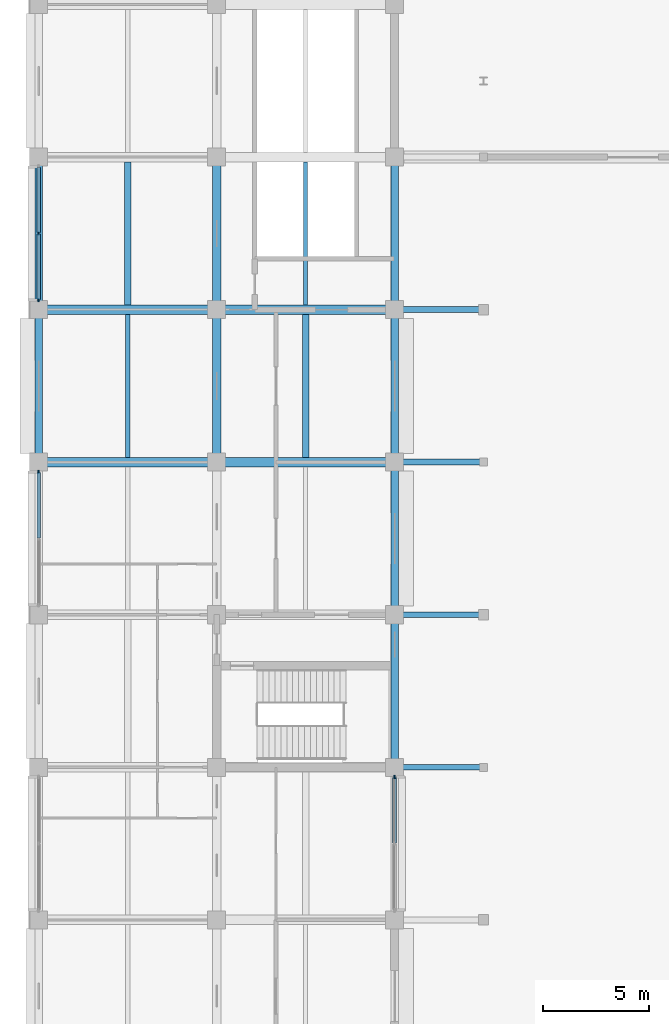
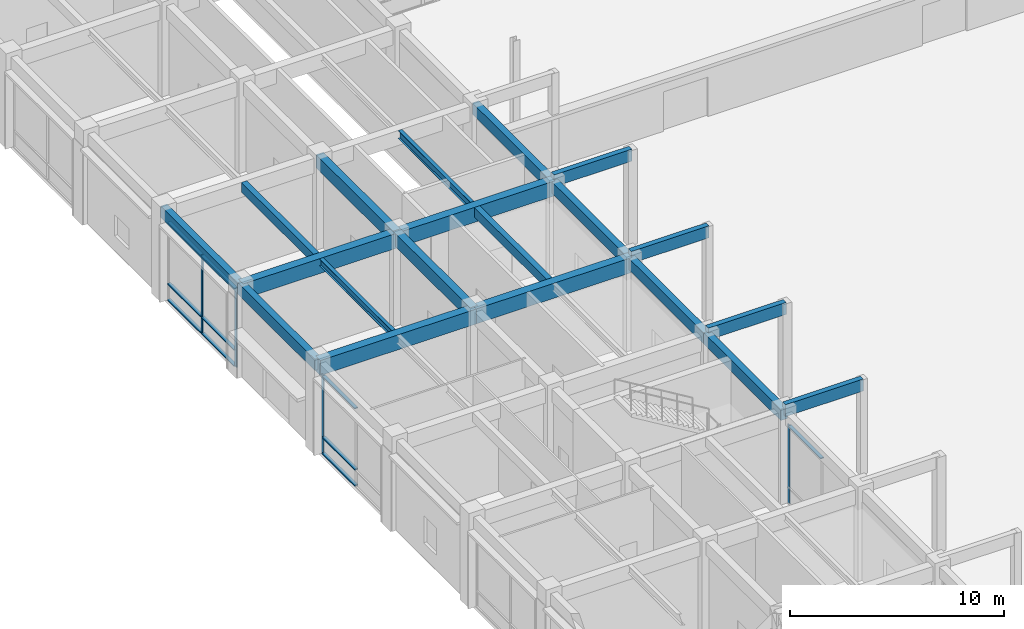
# One storey, part 10 of 73: 20 beams, 14 members, 3 elements without a shape of their own.
"""IFC4 building model written with IfcOpenShell, lengths in metres."""

from ifc_helpers import new_model, si_unit, direction, frame, origin, origin_2d, place, context, subcontext, project, spatial, rectangle, i_section, extrude, material, layer, layer_set, material_profile, profile_set, type_object, element, aggregate, save


model = new_model("IFC4")

# Units and contexts
model_context = context("Model", 3, precision=1e-05, world=origin(), true_north=direction((0.0, 1.0)))
body_context = subcontext(model_context, "Body", "Model", "MODEL_VIEW")
ifc_project = project(units=[si_unit("LENGTHUNIT", "METRE"), si_unit("AREAUNIT", "SQUARE_METRE"), si_unit("VOLUMEUNIT", "CUBIC_METRE"), si_unit("PLANEANGLEUNIT", "RADIAN"), si_unit("MASSUNIT", "GRAM", prefix="KILO")], contexts=[model_context])

# Site, building, storey
site_placement = place(None, origin())
site = spatial("IfcSite", under=ifc_project, at=site_placement, CompositionType="ELEMENT")
building_placement = place(site_placement, origin())
building = spatial("IfcBuilding", under=site, at=building_placement, Name="Chengyuan Square Courthouse", CompositionType="ELEMENT")
storey_placement = place(building_placement, origin())
storey = spatial("IfcBuildingStorey", under=building, at=storey_placement, Name="L01", CompositionType="ELEMENT", Elevation=0.0)

# Beams
ifc_material_1 = material(Name="Concrete C40", Category="concrete")
ifc_material_profile_1 = material_profile(ifc_material_1, rectangle(XDim=0.449951171875, YDim=0.85009765625, at=origin_2d()), Name="RC-BM-450x850")
ifc_profile_set_1 = profile_set([ifc_material_profile_1], Name="Concrete C40")
beam_type_1 = type_object("IfcBeamType", Name="BM-01", PredefinedType="USERDEFINED", material=ifc_profile_set_1)
beam_1_placement = place(storey_placement, frame((0.0, 50.39990234375, 4.695068359375), z_axis=(1.0, 0.0, 0.0), x_axis=(0.0, 1.0, 0.0)))
element("IfcBeam", 1, at=beam_1_placement, inside=storey, type_object=beam_type_1, Name="Girder BM-L01-1669", ObjectType="GIRDER", PredefinedType="USERDEFINED", context=body_context, shape_type="SweptSolid", body=[
    extrude(rectangle(XDim=0.449951171875, YDim=0.85009765625, at=origin_2d()), origin(), (0.0, 0.0, 1.0), 8.39990234375),
])
beam_2_placement = place(storey_placement, frame((8.39990234375, 50.39990234375, 4.695068359375), z_axis=(1.0, 0.0, 0.0), x_axis=(0.0, 1.0, 0.0)))
element("IfcBeam", 2, at=beam_2_placement, inside=storey, type_object=beam_type_1, Name="Girder BM-L01-1670", ObjectType="GIRDER", PredefinedType="USERDEFINED", context=body_context, shape_type="SweptSolid", body=[
    extrude(rectangle(XDim=0.449951171875, YDim=0.85009765625, at=origin_2d()), origin(), (0.0, 0.0, 1.0), 8.400146484375),
])
beam_3_placement = place(storey_placement, frame((0.0, 57.60009765625, 4.695068359375), z_axis=(1.0, 0.0, 0.0), x_axis=(0.0, 1.0, 0.0)))
element("IfcBeam", 3, at=beam_3_placement, inside=storey, type_object=beam_type_1, Name="Girder BM-L01-1673", ObjectType="GIRDER", PredefinedType="USERDEFINED", context=body_context, shape_type="SweptSolid", body=[
    extrude(rectangle(XDim=0.449951171875, YDim=0.85009765625, at=origin_2d()), origin(), (0.0, 0.0, 1.0), 8.39990234375),
])
beam_4_placement = place(storey_placement, frame((8.39990234375, 57.60009765625, 4.695068359375), z_axis=(1.0, 0.0, 0.0), x_axis=(0.0, 1.0, 0.0)))
element("IfcBeam", 4, at=beam_4_placement, inside=storey, type_object=beam_type_1, Name="Girder BM-L01-1674", ObjectType="GIRDER", PredefinedType="USERDEFINED", context=body_context, shape_type="SweptSolid", body=[
    extrude(rectangle(XDim=0.449951171875, YDim=0.85009765625, at=origin_2d()), origin(), (0.0, 0.0, 1.0), 8.400146484375),
])
ifc_material_profile_2 = material_profile(ifc_material_1, rectangle(XDim=0.39990234375, YDim=0.75, at=origin_2d()), Name="RC-BM-400x750")
ifc_profile_set_2 = profile_set([ifc_material_profile_2], Name="Concrete C40")
beam_type_2 = type_object("IfcBeamType", Name="BM-02", PredefinedType="USERDEFINED", material=ifc_profile_set_2)
beam_5_placement = place(storey_placement, frame((8.39990234375, 50.39990234375, 4.7451171875), z_axis=(0.0, 1.0, 0.0), x_axis=(-1.0, 0.0, 0.0)))
element("IfcBeam", 5, at=beam_5_placement, inside=storey, type_object=beam_type_2, Name="Girder BM-L01-1819", ObjectType="GIRDER", PredefinedType="USERDEFINED", context=body_context, shape_type="SweptSolid", body=[
    extrude(rectangle(XDim=0.39990234375, YDim=0.75, at=origin_2d()), origin(), (0.0, 0.0, 1.0), 7.2001953125),
])
beam_6_placement = place(storey_placement, frame((8.39990234375, 57.60009765625, 4.7451171875), z_axis=(0.0, 1.0, 0.0), x_axis=(-1.0, 0.0, 0.0)))
element("IfcBeam", 6, at=beam_6_placement, inside=storey, type_object=beam_type_2, Name="Girder BM-L01-1820", ObjectType="GIRDER", PredefinedType="USERDEFINED", context=body_context, shape_type="SweptSolid", body=[
    extrude(rectangle(XDim=0.39990234375, YDim=0.75, at=origin_2d()), origin(), (0.0, 0.0, 1.0), 7.199951171875),
])
ifc_material_profile_3 = material_profile(ifc_material_1, rectangle(XDim=0.35009765625, YDim=0.64990234375, at=origin_2d()), Name="RC-BM-350x650")
ifc_profile_set_3 = profile_set([ifc_material_profile_3], Name="Concrete C40")
beam_type_3 = type_object("IfcBeamType", Name="BM-03", PredefinedType="SPANDREL", material=ifc_profile_set_3)
beam_7_placement = place(storey_placement, frame((0.0, 50.39990234375, 4.794921875), z_axis=(0.0, 1.0, 0.0), x_axis=(-1.0, 0.0, 0.0)))
element("IfcBeam", 7, at=beam_7_placement, inside=storey, type_object=beam_type_3, Name="Girder BM-L01-1804", PredefinedType="SPANDREL", context=body_context, shape_type="SweptSolid", body=[
    extrude(rectangle(XDim=0.35009765625, YDim=0.64990234375, at=origin_2d()), origin(), (0.0, 0.0, 1.0), 7.2001953125),
])
for number, where, z_axis, x_axis, name in (
    (8, (0.0, 57.60009765625, 4.794921875), (0.0, 1.0, 0.0), (-1.0, 0.0, 0.0), "Girder BM-L01-1805"),
    (9, (16.800048828125, 36.0, 4.794921875), (0.0, 1.0, 0.0), (-1.0, 0.0, 0.0), "Girder BM-L01-1832"),
    (10, (16.800048828125, 43.199951171875, 4.794921875), (0.0, 1.0, 0.0), (-1.0, 0.0, 0.0), "Girder BM-L01-1833"),
):
    element("IfcBeam", number, at=place(storey_placement, frame(where, z_axis=z_axis, x_axis=x_axis)), inside=storey, type_object=beam_type_3, Name=name, PredefinedType="SPANDREL", context=body_context, shape_type="SweptSolid", body=[
        extrude(rectangle(XDim=0.35009765625, YDim=0.64990234375, at=origin_2d()), origin(), (0.0, 0.0, 1.0), 7.199951171875),
    ])
beam_8_placement = place(storey_placement, frame((16.800048828125, 50.39990234375, 4.794921875), z_axis=(0.0, 1.0, 0.0), x_axis=(-1.0, 0.0, 0.0)))
element("IfcBeam", 11, at=beam_8_placement, inside=storey, type_object=beam_type_3, Name="Girder BM-L01-1834", PredefinedType="SPANDREL", context=body_context, shape_type="SweptSolid", body=[
    extrude(rectangle(XDim=0.35009765625, YDim=0.64990234375, at=origin_2d()), origin(), (0.0, 0.0, 1.0), 7.2001953125),
])
beam_9_placement = place(storey_placement, frame((16.800048828125, 57.60009765625, 4.794921875), z_axis=(0.0, 1.0, 0.0), x_axis=(-1.0, 0.0, 0.0)))
element("IfcBeam", 12, at=beam_9_placement, inside=storey, type_object=beam_type_3, Name="Girder BM-L01-1835", PredefinedType="SPANDREL", context=body_context, shape_type="SweptSolid", body=[
    extrude(rectangle(XDim=0.35009765625, YDim=0.64990234375, at=origin_2d()), origin(), (0.0, 0.0, 1.0), 7.199951171875),
])
ifc_material_profile_4 = material_profile(ifc_material_1, rectangle(XDim=0.300048828125, YDim=0.550048828125, at=origin_2d()), Name="RC-BM-300x550")
ifc_profile_set_4 = profile_set([ifc_material_profile_4], Name="Concrete C40")
beam_type_4 = type_object("IfcBeamType", Name="BM-04", PredefinedType="BEAM", material=ifc_profile_set_4)
for number, where, z_axis, x_axis, name in (
    (13, (4.199951171875, 57.824951171875, 4.844970703125), (0.0, 1.0, 0.0), (-1.0, 0.0, 0.0), "Secondary Floor Beam SBM-L01-1965"),
    (14, (12.60009765625, 50.625, 4.844970703125), (0.0, 1.0, 0.0), (-1.0, 0.0, 0.0), "Secondary Floor Beam SBM-L01-1978"),
):
    element("IfcBeam", number, at=place(storey_placement, frame(where, z_axis=z_axis, x_axis=x_axis)), inside=storey, type_object=beam_type_4, Name=name, PredefinedType="BEAM", context=body_context, shape_type="SweptSolid", body=[
        extrude(rectangle(XDim=0.300048828125, YDim=0.550048828125, at=origin_2d()), origin(), (0.0, 0.0, 1.0), 6.75),
    ])
ifc_material_2 = material(Name="Steel Q355B", Category="steel")
ifc_material_profile_5 = material_profile(ifc_material_2, i_section(OverallWidth=0.199951171875, OverallDepth=0.449951171875, WebThickness=0.009033203125, FlangeThickness=0.013916015625, at=origin_2d()), Name="HN 450x200x9x14")
ifc_profile_set_5 = profile_set([ifc_material_profile_5], Name="Steel Q355B")
beam_type_5 = type_object("IfcBeamType", Name="BM-06", PredefinedType="BEAM", material=ifc_profile_set_5)
beam_10_placement = place(storey_placement, frame((12.60009765625, 57.824951171875, 4.89501953125), z_axis=(0.0, 1.0, 0.0), x_axis=(-1.0, 0.0, 0.0)))
element("IfcBeam", 15, at=beam_10_placement, inside=storey, type_object=beam_type_5, Name="Secondary Floor Beam SBM-L01-1979", PredefinedType="BEAM", context=body_context, shape_type="SweptSolid", body=[
    extrude(i_section(OverallWidth=0.199951171875, OverallDepth=0.449951171875, WebThickness=0.009033203125, FlangeThickness=0.013916015625, at=origin_2d()), origin(), (0.0, 0.0, 1.0), 6.75),
])
ifc_material_profile_6 = material_profile(ifc_material_2, i_section(OverallWidth=0.199951171875, OverallDepth=0.39990234375, WebThickness=0.008056640625, FlangeThickness=0.012939453125, at=origin_2d()), Name="HN 400x200x8x13")
ifc_profile_set_6 = profile_set([ifc_material_profile_6], Name="Steel Q355B")
beam_type_6 = type_object("IfcBeamType", Name="BM-07", PredefinedType="BEAM", material=ifc_profile_set_6)
beam_11_placement = place(storey_placement, frame((4.199951171875, 50.625, 4.919921875), z_axis=(0.0, 1.0, 0.0), x_axis=(-1.0, 0.0, 0.0)))
element("IfcBeam", 16, at=beam_11_placement, inside=storey, type_object=beam_type_6, Name="Secondary Floor Beam SBM-L01-1964", PredefinedType="BEAM", context=body_context, shape_type="SweptSolid", body=[
    extrude(i_section(OverallWidth=0.199951171875, OverallDepth=0.39990234375, WebThickness=0.008056640625, FlangeThickness=0.012939453125, at=origin_2d()), origin(), (0.0, 0.0, 1.0), 6.75),
])

# Curtain wall, member
ifc_material_3 = material(Name="Unitised Aluminium and Triple Low-E Glass", Category="aluminium")
ifc_layer = layer(ifc_material_3, 0.179931640625)
ifc_layer_set = layer_set([ifc_layer], Name="Unitised Aluminium and Triple Low-E Glass")
curtain_wall_type = type_object("IfcCurtainWallType", Name="CW-14", PredefinedType="USERDEFINED", material=ifc_layer_set)
curtain_wall_1_placement = place(storey_placement, origin())
curtain_wall_1 = element("IfcCurtainWall", 17, at=curtain_wall_1_placement, inside=storey, type_object=curtain_wall_type, Name="Unitised Curtain Wall CW-L01-005", ObjectType="UNITISED CURTAIN WALL", PredefinedType="USERDEFINED")
ifc_material_4 = material(Name="Aluminium 6063-T6 Frame", Category="aluminium")
ifc_material_profile_7 = material_profile(ifc_material_4, rectangle(XDim=0.06494140625, YDim=0.179931640625, at=origin_2d()), Name="CW-MUL-65x180")
ifc_profile_set_7 = profile_set([ifc_material_profile_7], Name="Aluminium 6063-T6 Frame")
member_type_1 = type_object("IfcMemberType", Name="CWM-02", PredefinedType="MULLION", material=ifc_profile_set_7)
member_1_placement = place(storey_placement, frame((0.0, 49.9423828125, 0.0), z_axis=(0.0, 0.0, 1.0), x_axis=(-1.0, 0.0, 0.0)))
member_1 = element("IfcMember", 18, at=member_1_placement, type_object=member_type_1, Name="CW-14 mullion 3", PredefinedType="MULLION", context=body_context, shape_type="SweptSolid", body=[
    extrude(rectangle(XDim=0.06494140625, YDim=0.179931640625, at=origin_2d()), origin(), (0.0, 0.0, 1.0), 4.469970703125),
])

# Curtain wall, members
curtain_wall_2_placement = place(storey_placement, origin())
curtain_wall_2 = element("IfcCurtainWall", 19, at=curtain_wall_2_placement, inside=storey, type_object=curtain_wall_type, Name="Unitised Curtain Wall CW-L01-006", ObjectType="UNITISED CURTAIN WALL", PredefinedType="USERDEFINED")
member_2_placement = place(storey_placement, frame((0.0, 58.0576171875, 0.0), z_axis=(0.0, 0.0, 1.0), x_axis=(-1.0, 0.0, 0.0)))
member_2 = element("IfcMember", 20, at=member_2_placement, type_object=member_type_1, Name="CW-14 mullion 1", PredefinedType="MULLION", context=body_context, shape_type="SweptSolid", body=[
    extrude(rectangle(XDim=0.06494140625, YDim=0.179931640625, at=origin_2d()), origin(), (0.0, 0.0, 1.0), 4.469970703125),
])
member_3_placement = place(storey_placement, frame((0.0, 61.199951171875, 0.0), z_axis=(0.0, 0.0, 1.0), x_axis=(-1.0, 0.0, 0.0)))
member_3 = element("IfcMember", 21, at=member_3_placement, type_object=member_type_1, Name="CW-14 mullion 2", PredefinedType="MULLION", context=body_context, shape_type="SweptSolid", body=[
    extrude(rectangle(XDim=0.06494140625, YDim=0.179931640625, at=origin_2d()), origin(), (0.0, 0.0, 1.0), 4.469970703125),
])

# Curtain wall, member
curtain_wall_3_placement = place(storey_placement, origin())
curtain_wall_3 = element("IfcCurtainWall", 22, at=curtain_wall_3_placement, inside=storey, type_object=curtain_wall_type, Name="Unitised Curtain Wall CW-L01-013", ObjectType="UNITISED CURTAIN WALL", PredefinedType="USERDEFINED")
member_4_placement = place(storey_placement, frame((16.800048828125, 35.54248046875, 0.0), z_axis=(0.0, 0.0, 1.0), x_axis=(-1.0, 0.0, 0.0)))
member_4 = element("IfcMember", 23, at=member_4_placement, type_object=member_type_1, Name="CW-14 mullion 3", PredefinedType="MULLION", context=body_context, shape_type="SweptSolid", body=[
    extrude(rectangle(XDim=0.06494140625, YDim=0.179931640625, at=origin_2d()), origin(), (0.0, 0.0, 1.0), 4.469970703125),
])

# Member
ifc_material_profile_8 = material_profile(ifc_material_4, rectangle(XDim=0.179931640625, YDim=0.06494140625, at=origin_2d()), Name="CW-TRN-65x140")
ifc_profile_set_8 = profile_set([ifc_material_profile_8], Name="Aluminium 6063-T6 Frame")
member_type_2 = type_object("IfcMemberType", Name="CWT-02", PredefinedType="USERDEFINED", material=ifc_profile_set_8)
member_5_placement = place(storey_placement, frame((0.0, 46.83251953125, 0.032470703125), z_axis=(0.0, 1.0, 0.0), x_axis=(-1.0, 0.0, 0.0)))
member_5 = element("IfcMember", 24, at=member_5_placement, type_object=member_type_2, Name="CW-14 transom 2.1", ObjectType="TRANSOM", PredefinedType="USERDEFINED", context=body_context, shape_type="SweptSolid", body=[
    extrude(rectangle(XDim=0.179931640625, YDim=0.06494140625, at=origin_2d()), origin(), (0.0, 0.0, 1.0), 3.077392578125),
])

member_6_placement = place(storey_placement, frame((0.0, 46.83251953125, 0.949951171875), z_axis=(0.0, 1.0, 0.0), x_axis=(-1.0, 0.0, 0.0)))
member_6 = element("IfcMember", 25, at=member_6_placement, type_object=member_type_2, Name="CW-14 transom 2.2", ObjectType="TRANSOM", PredefinedType="USERDEFINED", context=body_context, shape_type="SweptSolid", body=[
    extrude(rectangle(XDim=0.179931640625, YDim=0.06494140625, at=origin_2d()), origin(), (0.0, 0.0, 1.0), 3.077392578125),
])

member_7_placement = place(storey_placement, frame((0.0, 46.83251953125, 4.4375), z_axis=(0.0, 1.0, 0.0), x_axis=(-1.0, 0.0, 0.0)))
member_7 = element("IfcMember", 26, at=member_7_placement, type_object=member_type_2, Name="CW-14 transom 2.3", ObjectType="TRANSOM", PredefinedType="USERDEFINED", context=body_context, shape_type="SweptSolid", body=[
    extrude(rectangle(XDim=0.179931640625, YDim=0.06494140625, at=origin_2d()), origin(), (0.0, 0.0, 1.0), 3.077392578125),
])

aggregate(curtain_wall_1, [member_1, member_5, member_6, member_7])

member_8_placement = place(storey_placement, frame((0.0, 58.090087890625, 0.032470703125), z_axis=(0.0, 1.0, 0.0), x_axis=(-1.0, 0.0, 0.0)))
member_8 = element("IfcMember", 27, at=member_8_placement, type_object=member_type_2, Name="CW-14 transom 1.1", ObjectType="TRANSOM", PredefinedType="USERDEFINED", context=body_context, shape_type="SweptSolid", body=[
    extrude(rectangle(XDim=0.179931640625, YDim=0.06494140625, at=origin_2d()), origin(), (0.0, 0.0, 1.0), 3.077392578125),
])

member_9_placement = place(storey_placement, frame((0.0, 58.090087890625, 0.949951171875), z_axis=(0.0, 1.0, 0.0), x_axis=(-1.0, 0.0, 0.0)))
member_9 = element("IfcMember", 28, at=member_9_placement, type_object=member_type_2, Name="CW-14 transom 1.2", ObjectType="TRANSOM", PredefinedType="USERDEFINED", context=body_context, shape_type="SweptSolid", body=[
    extrude(rectangle(XDim=0.179931640625, YDim=0.06494140625, at=origin_2d()), origin(), (0.0, 0.0, 1.0), 3.077392578125),
])

member_10_placement = place(storey_placement, frame((0.0, 58.090087890625, 4.4375), z_axis=(0.0, 1.0, 0.0), x_axis=(-1.0, 0.0, 0.0)))
member_10 = element("IfcMember", 29, at=member_10_placement, type_object=member_type_2, Name="CW-14 transom 1.3", ObjectType="TRANSOM", PredefinedType="USERDEFINED", context=body_context, shape_type="SweptSolid", body=[
    extrude(rectangle(XDim=0.179931640625, YDim=0.06494140625, at=origin_2d()), origin(), (0.0, 0.0, 1.0), 3.077392578125),
])

member_11_placement = place(storey_placement, frame((0.0, 61.232421875, 0.032470703125), z_axis=(0.0, 1.0, 0.0), x_axis=(-1.0, 0.0, 0.0)))
member_11 = element("IfcMember", 30, at=member_11_placement, type_object=member_type_2, Name="CW-14 transom 2.1", ObjectType="TRANSOM", PredefinedType="USERDEFINED", context=body_context, shape_type="SweptSolid", body=[
    extrude(rectangle(XDim=0.179931640625, YDim=0.06494140625, at=origin_2d()), origin(), (0.0, 0.0, 1.0), 3.07763671875),
])

member_12_placement = place(storey_placement, frame((0.0, 61.232421875, 0.949951171875), z_axis=(0.0, 1.0, 0.0), x_axis=(-1.0, 0.0, 0.0)))
member_12 = element("IfcMember", 31, at=member_12_placement, type_object=member_type_2, Name="CW-14 transom 2.2", ObjectType="TRANSOM", PredefinedType="USERDEFINED", context=body_context, shape_type="SweptSolid", body=[
    extrude(rectangle(XDim=0.179931640625, YDim=0.06494140625, at=origin_2d()), origin(), (0.0, 0.0, 1.0), 3.07763671875),
])

member_13_placement = place(storey_placement, frame((0.0, 61.232421875, 4.4375), z_axis=(0.0, 1.0, 0.0), x_axis=(-1.0, 0.0, 0.0)))
member_13 = element("IfcMember", 32, at=member_13_placement, type_object=member_type_2, Name="CW-14 transom 2.3", ObjectType="TRANSOM", PredefinedType="USERDEFINED", context=body_context, shape_type="SweptSolid", body=[
    extrude(rectangle(XDim=0.179931640625, YDim=0.06494140625, at=origin_2d()), origin(), (0.0, 0.0, 1.0), 3.07763671875),
])

aggregate(curtain_wall_2, [member_2, member_3, member_8, member_9, member_10, member_11, member_12, member_13])

member_14_placement = place(storey_placement, frame((16.800048828125, 32.4326171875, 4.4375), z_axis=(0.0, 1.0, 0.0), x_axis=(-1.0, 0.0, 0.0)))
member_14 = element("IfcMember", 33, at=member_14_placement, type_object=member_type_2, Name="CW-14 transom 2.3", ObjectType="TRANSOM", PredefinedType="USERDEFINED", context=body_context, shape_type="SweptSolid", body=[
    extrude(rectangle(XDim=0.179931640625, YDim=0.06494140625, at=origin_2d()), origin(), (0.0, 0.0, 1.0), 3.077392578125),
])

aggregate(curtain_wall_3, [member_4, member_14])

# Beams
ifc_material_5 = material(Name="Glulam TCt28", Category="wood")
ifc_material_profile_9 = material_profile(ifc_material_5, rectangle(XDim=0.280029296875, YDim=0.679931640625, at=origin_2d()), Name="GL-BM-280x680")
ifc_profile_set_9 = profile_set([ifc_material_profile_9], Name="Glulam TCt28")
beam_type_7 = type_object("IfcBeamType", Name="GLB-01", PredefinedType="BEAM", material=ifc_profile_set_9)
for number, where, z_axis, x_axis, name in (
    (34, (16.800048828125, 36.0, 5.06005859375), (1.0, 0.0, 0.0), (0.0, 1.0, 0.0), "Glulam Colonnade Portal Beam GLB-L01-011"),
    (35, (16.800048828125, 43.199951171875, 5.06005859375), (1.0, 0.0, 0.0), (0.0, 1.0, 0.0), "Glulam Colonnade Portal Beam GLB-L01-013"),
    (36, (16.800048828125, 50.39990234375, 5.06005859375), (1.0, 0.0, 0.0), (0.0, 1.0, 0.0), "Glulam Colonnade Portal Beam GLB-L01-015"),
    (37, (16.800048828125, 57.60009765625, 5.06005859375), (1.0, 0.0, 0.0), (0.0, 1.0, 0.0), "Glulam Colonnade Portal Beam GLB-L01-017"),
):
    element("IfcBeam", number, at=place(storey_placement, frame(where, z_axis=z_axis, x_axis=x_axis)), inside=storey, type_object=beam_type_7, Name=name, PredefinedType="BEAM", context=body_context, shape_type="SweptSolid", body=[
        extrude(rectangle(XDim=0.280029296875, YDim=0.679931640625, at=origin_2d()), origin(), (0.0, 0.0, 1.0), 4.199951171875),
    ])

save(model, "model.ifc")
